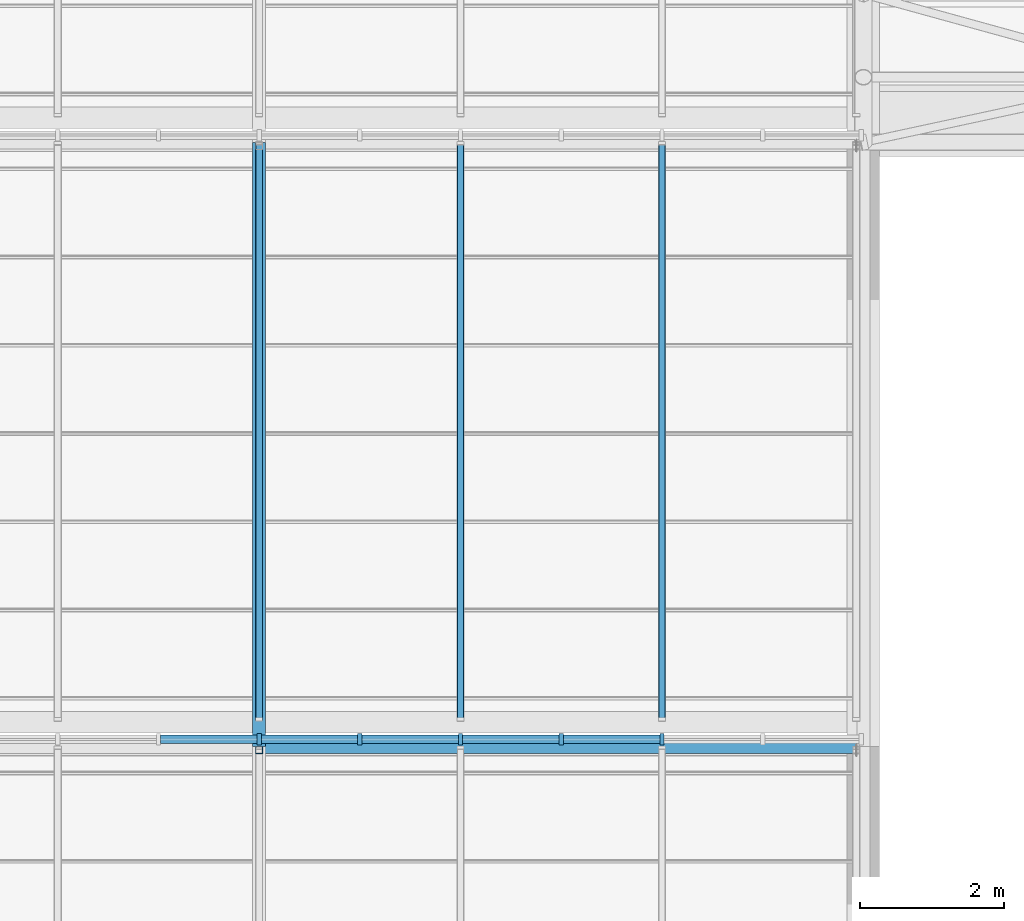
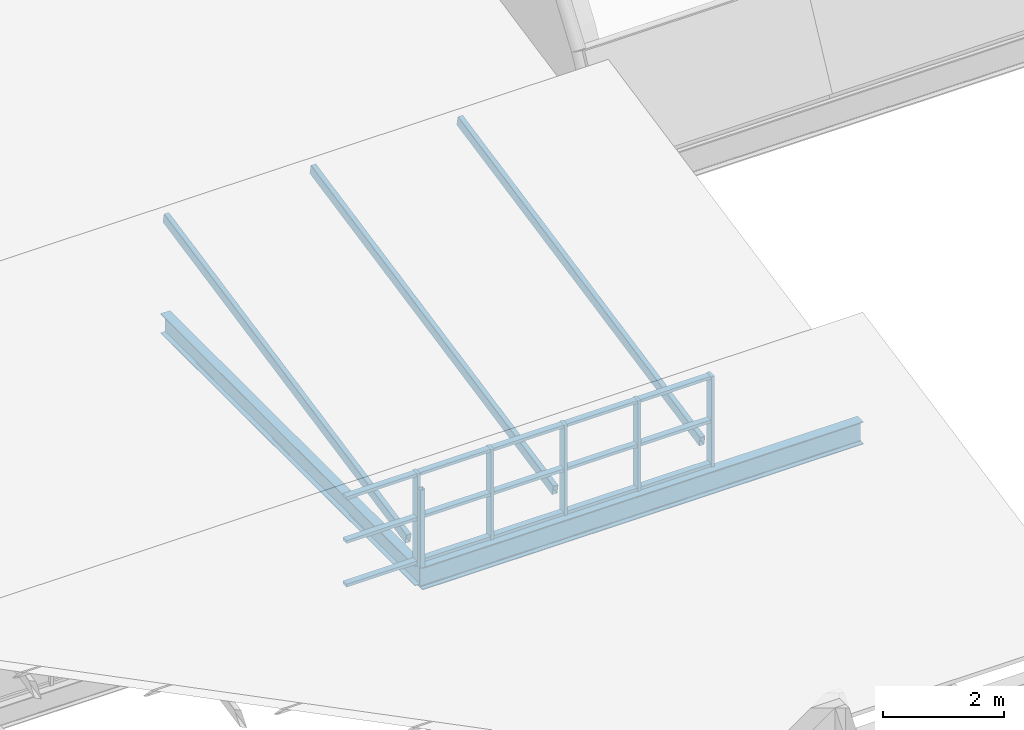
# One storey, part 20 of 121: 24 members, 2 beams, 1 element without a shape of its own.
"""IFC4 building model written with IfcOpenShell, lengths in metres."""

import ifcopenshell
import ifcopenshell.guid

model = None  # the IFC model being written
_history = None  # IfcOwnerHistory: only IFC2X3 demands one
_inside = {}  # id of a spatial element -> (the spatial element, [elements in it])
_under = {}  # id of a project, library or spatial element -> (it, [spatial elements below it])
_declared = {}  # id of a project -> (the project, [libraries it declares])
_typed = {}  # id of a type object -> (the type object, [elements of that type])
_made_of = {}  # id of a material, layer set ... -> (it, [elements and type objects made of it])


def new_model(schema):
    """Start an empty IFC model of exactly this schema.

    Asked for "IFC4X3", IfcOpenShell would pick the latest addendum, in which some entities
    have other attributes; the version numbers below select the first issue.
    IFC2X3 requires an IfcOwnerHistory on every rooted entity: one is made here for all.
    """
    global model, _history
    if schema == "IFC4X3":
        model = ifcopenshell.file(schema_version=(4, 3, 0, 0))
    else:
        model = ifcopenshell.file(schema=schema)
    _inside.clear()
    _under.clear()
    _declared.clear()
    _typed.clear()
    _made_of.clear()
    _history = None
    if model.schema == "IFC2X3":
        org = make("IfcOrganization", Name="unknown")
        user = make(
            "IfcPersonAndOrganization",
            ThePerson=make("IfcPerson", FamilyName="unknown"),
            TheOrganization=org,
        )
        app = make(
            "IfcApplication",
            ApplicationDeveloper=org,
            Version="unknown",
            ApplicationFullName="unknown",
            ApplicationIdentifier="unknown",
        )
        _history = make(
            "IfcOwnerHistory",
            OwningUser=user,
            OwningApplication=app,
            ChangeAction="ADDED",
            CreationDate=0,
        )
    return model


def make(cls, **values):
    """One entity of the class cls with the attributes given. An attribute that is None is left unset."""
    return model.create_entity(
        cls, **{name: value for name, value in values.items() if value is not None}
    )


def rooted(cls, **values):
    """An entity with a GlobalId (a new one), such as an element, a storey or a relation."""
    return make(cls, GlobalId=ifcopenshell.guid.new(), OwnerHistory=_history, **values)


def si_unit(unit_type, name, prefix=None):
    """IfcSIUnit, for example si_unit("LENGTHUNIT", "METRE", prefix="MILLI")."""
    return make("IfcSIUnit", UnitType=unit_type, Prefix=prefix, Name=name)


def assignment(units):
    """IfcUnitAssignment: the units of a project."""
    return None if units is None else make("IfcUnitAssignment", Units=units)


def point(xyz):
    """IfcCartesianPoint."""
    return None if xyz is None else make("IfcCartesianPoint", Coordinates=xyz)


def direction(xyz):
    """IfcDirection."""
    return None if xyz is None else make("IfcDirection", DirectionRatios=xyz)


def frame(location, z_axis=None, x_axis=None):
    """IfcAxis2Placement3D, a coordinate frame: its origin and axes. An axis left out is left unset."""
    return make(
        "IfcAxis2Placement3D",
        Location=point(location),
        Axis=direction(z_axis),
        RefDirection=direction(x_axis),
    )


def frame_2d(location, x_axis=None):
    """IfcAxis2Placement2D, a coordinate frame in the plane: its origin and x axis."""
    return make(
        "IfcAxis2Placement2D", Location=point(location), RefDirection=direction(x_axis)
    )


def origin():
    """The frame at (0, 0, 0) with its axes left unset."""
    return frame((0.0, 0.0, 0.0))


def origin_2d():
    """The frame at (0, 0) in the plane with its x axis left unset."""
    return frame_2d((0.0, 0.0))


def place(relative_to, where):
    """IfcLocalPlacement: puts the frame where relative to a parent placement (None: the world)."""
    return make(
        "IfcLocalPlacement", PlacementRelTo=relative_to, RelativePlacement=where
    )


def context(
    kind, dimensions, precision=None, world=None, true_north=None, identifier=None
):
    """IfcGeometricRepresentationContext, for example the 3D "Model" context."""
    return make(
        "IfcGeometricRepresentationContext",
        ContextIdentifier=identifier,
        ContextType=kind,
        CoordinateSpaceDimension=dimensions,
        Precision=precision,
        WorldCoordinateSystem=world,
        TrueNorth=true_north,
    )


def subcontext(parent, identifier, kind, view, scale=None):
    """IfcGeometricRepresentationSubContext, for example "Body" below "Model"."""
    return make(
        "IfcGeometricRepresentationSubContext",
        ContextIdentifier=identifier,
        ContextType=kind,
        ParentContext=parent,
        TargetScale=scale,
        TargetView=view,
    )


def project(units=None, contexts=None):
    """IfcProject with its units and contexts."""
    return rooted(
        "IfcProject",
        Name="project",
        RepresentationContexts=contexts,
        UnitsInContext=assignment(units),
    )


def spatial(cls, under=None, at=None, **own):
    """A site, building, storey or space (cls), placed at a placement, below another one or the project."""
    s = rooted(cls, ObjectPlacement=at, **own)
    if under is not None:
        _under.setdefault(under.id(), (under, []))[1].append(s)
    return s


def profile(cls, at=None, kind="AREA", **sizes):
    """A parametric profile (cls). Its sizes go by their IFC names, for example OverallWidth=200.0."""
    return make(cls, ProfileType=kind, Position=at, **sizes)


def rectangle(**sizes):
    """IfcRectangleProfileDef."""
    return profile("IfcRectangleProfileDef", **sizes)


def hollow_rectangle(**sizes):
    """IfcRectangleHollowProfileDef."""
    return profile("IfcRectangleHollowProfileDef", **sizes)


def i_section(**sizes):
    """IfcIShapeProfileDef."""
    return profile("IfcIShapeProfileDef", **sizes)


def extrude(swept, where, along, depth):
    """IfcExtrudedAreaSolid: the profile swept, set in the frame where, extruded along a direction by depth."""
    return make(
        "IfcExtrudedAreaSolid",
        SweptArea=swept,
        Position=where,
        ExtrudedDirection=direction(along),
        Depth=depth,
    )


def shape(context_of_items, identifier, shape_type, items):
    """IfcShapeRepresentation: the items that make up one representation, for example the "Body"."""
    return make(
        "IfcShapeRepresentation",
        ContextOfItems=context_of_items,
        RepresentationIdentifier=identifier,
        RepresentationType=shape_type,
        Items=items,
    )


def material(Name=None, Category=None):
    """IfcMaterial."""
    return make("IfcMaterial", Name=Name, Category=Category)


def layer(
    of_material, thickness, ventilated=None, Name=None, Category=None, Priority=None
):
    """IfcMaterialLayer: one layer of a wall or slab, of a material (None: an air gap)."""
    return make(
        "IfcMaterialLayer",
        Material=of_material,
        LayerThickness=thickness,
        IsVentilated=ventilated,
        Name=Name,
        Category=Category,
        Priority=Priority,
    )


def layer_set(layers, Name=None):
    """IfcMaterialLayerSet."""
    return make("IfcMaterialLayerSet", MaterialLayers=layers, LayerSetName=Name)


def material_profile(
    of_material, cross_section, Name=None, Category=None, Priority=None
):
    """IfcMaterialProfile: a cross section and its material."""
    return make(
        "IfcMaterialProfile",
        Name=Name,
        Material=of_material,
        Profile=cross_section,
        Priority=Priority,
        Category=Category,
    )


def profile_set(profiles, Name=None, composite=None):
    """IfcMaterialProfileSet."""
    return make(
        "IfcMaterialProfileSet",
        Name=Name,
        MaterialProfiles=profiles,
        CompositeProfile=composite,
    )


def made_of(thing, what):
    """Note that an element or type object is made of a material, layer set ...; save() writes the relation."""
    if what is not None:
        _made_of.setdefault(what.id(), (what, []))[1].append(thing)
    return thing


def type_object(cls, material=None, **own):
    """A type object (cls), such as IfcWallType, which elements share."""
    return made_of(rooted(cls, **own), material)


def element(
    cls,
    number,
    at=None,
    inside=None,
    cuts=None,
    type_object=None,
    material=None,
    context=None,
    identifier="Body",
    shape_type=None,
    held_by="IfcProductDefinitionShape",
    body=None,
    shapes=None,
    **own,
):
    """One element of the class cls, such as IfcWall. Its Tag is "e" and its number.

    at: its placement. inside: the storey or other place that contains it. cuts: it is an
    opening in that element (IfcRelVoidsElement). A single representation is given by context,
    identifier, shape_type and body (its items); several are given by shapes. held_by: the class
    of the entity that holds the representations. save() writes the other relations.
    """
    e = rooted(cls, Tag="e%d" % number, ObjectPlacement=at, **own)
    if body is not None:
        shapes = [shape(context, identifier, shape_type, body)]
    if shapes is not None:
        e.Representation = make(held_by, Representations=shapes)
    if inside is not None:
        _inside.setdefault(inside.id(), (inside, []))[1].append(e)
    if cuts is not None:
        rooted(
            "IfcRelVoidsElement", RelatingBuildingElement=cuts, RelatedOpeningElement=e
        )
    if type_object is not None:
        _typed.setdefault(type_object.id(), (type_object, []))[1].append(e)
    return made_of(e, material)


def aggregate(whole, parts):
    """IfcRelAggregates: a whole, such as a stair, and the parts it consists of."""
    return rooted("IfcRelAggregates", RelatingObject=whole, RelatedObjects=parts)


def save(model, path):
    """Write the relations noted so far, then the file.

    IfcRelAggregates (storeys below a building ...), IfcRelContainedInSpatialStructure (elements
    in a storey), IfcRelDefinesByType, IfcRelAssociatesMaterial and IfcRelDeclares: one each for
    every whole, place, type object, material and project.
    """
    for whole, parts in _under.values():
        aggregate(whole, parts)
    for where, things in _inside.values():
        rooted(
            "IfcRelContainedInSpatialStructure",
            RelatedElements=things,
            RelatingStructure=where,
        )
    for kind, things in _typed.values():
        rooted("IfcRelDefinesByType", RelatedObjects=things, RelatingType=kind)
    for what, things in _made_of.values():
        rooted("IfcRelAssociatesMaterial", RelatedObjects=things, RelatingMaterial=what)
    for by, libraries in _declared.values():
        rooted("IfcRelDeclares", RelatingContext=by, RelatedDefinitions=libraries)
    model.write(path)


model = new_model("IFC4")

# Units and contexts
model_context = context("Model", 3, precision=1e-05, world=origin(), true_north=direction((0.0, 1.0)))
body_context = subcontext(model_context, "Body", "Model", "MODEL_VIEW")
ifc_project = project(units=[si_unit("LENGTHUNIT", "METRE"), si_unit("AREAUNIT", "SQUARE_METRE"), si_unit("VOLUMEUNIT", "CUBIC_METRE"), si_unit("PLANEANGLEUNIT", "RADIAN"), si_unit("MASSUNIT", "GRAM", prefix="KILO")], contexts=[model_context])

# Site, building, storey
site_placement = place(None, origin())
site = spatial("IfcSite", under=ifc_project, at=site_placement, CompositionType="ELEMENT")
building_placement = place(site_placement, origin())
building = spatial("IfcBuilding", under=site, at=building_placement, Name="Ardhachandra Cancer Care Centre", CompositionType="ELEMENT")
storey_placement = place(building_placement, frame((0.0, 0.0, 9.0)))
storey = spatial("IfcBuildingStorey", under=building, at=storey_placement, Name="L02", CompositionType="ELEMENT", Elevation=9.0)

# Beams
ifc_material_1 = material(Name="Steel E350 (IS 2062)", Category="steel")
ifc_material_profile_1 = material_profile(ifc_material_1, i_section(OverallWidth=0.179931640625, OverallDepth=0.39990234375, WebThickness=0.008544921875, FlangeThickness=0.013427734375, FilletRadius=0.02099609375, at=origin_2d()), Name="NPB 400x180x66.30")
ifc_profile_set_1 = profile_set([ifc_material_profile_1], Name="Steel E350 (IS 2062)")
beam_type_1 = type_object("IfcBeamType", Name="Beam NPB 400x180x66.30", PredefinedType="BEAM", material=ifc_profile_set_1)
beam_1_placement = place(storey_placement, frame((36.0, 46.199951171875, -0.199951171875), z_axis=(0.0, 1.0, 0.0), x_axis=(-1.0, 0.0, 0.0)))
element("IfcBeam", 1, at=beam_1_placement, inside=storey, type_object=beam_type_1, Name="Roof girder E4-F4", PredefinedType="BEAM", context=body_context, shape_type="SweptSolid", body=[
    extrude(i_section(OverallWidth=0.179931640625, OverallDepth=0.39990234375, WebThickness=0.008544921875, FlangeThickness=0.013427734375, FilletRadius=0.02099609375, at=origin_2d()), origin(), (0.0, 0.0, 1.0), 8.400146484375),
])
ifc_material_2 = material(Name="Steel E350 (IS 2062)", Category="steel")
ifc_material_profile_2 = material_profile(ifc_material_2, i_section(OverallWidth=0.19189453125, OverallDepth=0.4560546875, WebThickness=0.010986328125, FlangeThickness=0.017578125, FilletRadius=0.02099609375, at=origin_2d()), Name="NPB 450x190x92.36")
ifc_profile_set_2 = profile_set([ifc_material_profile_2], Name="Steel E350 (IS 2062)")
beam_type_2 = type_object("IfcBeamType", Name="Beam NPB 450x190x92.36", PredefinedType="BEAM", material=ifc_profile_set_2)
beam_2_placement = place(storey_placement, frame((36.0, 46.199951171875, -0.22802734375), z_axis=(1.0, 0.0, 0.0), x_axis=(0.0, 1.0, 0.0)))
element("IfcBeam", 2, at=beam_2_placement, inside=storey, type_object=beam_type_2, Name="Roof girder E4-E5", PredefinedType="BEAM", context=body_context, shape_type="SweptSolid", body=[
    extrude(i_section(OverallWidth=0.19189453125, OverallDepth=0.4560546875, WebThickness=0.010986328125, FlangeThickness=0.017578125, FilletRadius=0.02099609375, at=origin_2d()), origin(), (0.0, 0.0, 1.0), 8.39990234375),
])

# Curtain wall, members
ifc_material_3 = material(Name="Aluminium extrusion", Category="aluminium")
ifc_layer = layer(ifc_material_3, 0.14990234375)
ifc_layer_set = layer_set([ifc_layer], Name="Aluminium extrusion")
curtain_wall_type = type_object("IfcCurtainWallType", Name="Curtain wall run", PredefinedType="NOTDEFINED", material=ifc_layer_set)
curtain_wall_placement = place(storey_placement, origin())
curtain_wall = element("IfcCurtainWall", 3, at=curtain_wall_placement, inside=storey, type_object=curtain_wall_type, Name="Curtain wall L02 n/0010800_0046300", PredefinedType="NOTDEFINED")
ifc_material_4 = material(Name="Aluminium extrusion", Category="aluminium")
ifc_material_profile_3 = material_profile(ifc_material_4, rectangle(XDim=0.159912109375, YDim=0.06005859375, at=origin_2d()), Name="Curtain wall mullion 60 x 160")
ifc_profile_set_3 = profile_set([ifc_material_profile_3], Name="Aluminium extrusion")
member_type_1 = type_object("IfcMemberType", Name="Curtain wall mullion 60 x 160", PredefinedType="MULLION", material=ifc_profile_set_3)
member_1_placement = place(storey_placement, frame((36.0, 46.300048828125, 0.0), z_axis=(0.0, 0.0, 1.0), x_axis=(0.0, 1.0, 0.0)))
member_1 = element("IfcMember", 4, at=member_1_placement, type_object=member_type_1, Name="CW mullion 19", PredefinedType="MULLION", context=body_context, shape_type="SweptSolid", body=[
    extrude(rectangle(XDim=0.159912109375, YDim=0.06005859375, at=origin_2d()), origin(), (0.0, 0.0, 1.0), 1.820068359375),
])
member_2_placement = place(storey_placement, frame((37.39990234375, 46.300048828125, 0.0), z_axis=(0.0, 0.0, 1.0), x_axis=(0.0, 1.0, 0.0)))
member_2 = element("IfcMember", 5, at=member_2_placement, type_object=member_type_1, Name="CW mullion 20", PredefinedType="MULLION", context=body_context, shape_type="SweptSolid", body=[
    extrude(rectangle(XDim=0.159912109375, YDim=0.06005859375, at=origin_2d()), origin(), (0.0, 0.0, 1.0), 1.820068359375),
])
member_3_placement = place(storey_placement, frame((38.800048828125, 46.300048828125, 0.0), z_axis=(0.0, 0.0, 1.0), x_axis=(0.0, 1.0, 0.0)))
member_3 = element("IfcMember", 6, at=member_3_placement, type_object=member_type_1, Name="CW mullion 21", PredefinedType="MULLION", context=body_context, shape_type="SweptSolid", body=[
    extrude(rectangle(XDim=0.159912109375, YDim=0.06005859375, at=origin_2d()), origin(), (0.0, 0.0, 1.0), 1.820068359375),
])
member_4_placement = place(storey_placement, frame((40.199951171875, 46.300048828125, 0.0), z_axis=(0.0, 0.0, 1.0), x_axis=(0.0, 1.0, 0.0)))
member_4 = element("IfcMember", 7, at=member_4_placement, type_object=member_type_1, Name="CW mullion 22", PredefinedType="MULLION", context=body_context, shape_type="SweptSolid", body=[
    extrude(rectangle(XDim=0.159912109375, YDim=0.06005859375, at=origin_2d()), origin(), (0.0, 0.0, 1.0), 1.820068359375),
])
member_5_placement = place(storey_placement, frame((41.60009765625, 46.300048828125, 0.0), z_axis=(0.0, 0.0, 1.0), x_axis=(0.0, 1.0, 0.0)))
member_5 = element("IfcMember", 8, at=member_5_placement, type_object=member_type_1, Name="CW mullion 23", PredefinedType="MULLION", context=body_context, shape_type="SweptSolid", body=[
    extrude(rectangle(XDim=0.159912109375, YDim=0.06005859375, at=origin_2d()), origin(), (0.0, 0.0, 1.0), 1.820068359375),
])
ifc_material_5 = material(Name="Aluminium extrusion", Category="aluminium")
ifc_material_profile_4 = material_profile(ifc_material_5, rectangle(XDim=0.1201171875, YDim=0.06005859375, at=origin_2d()), Name="Curtain wall transom 60 x 120")
ifc_profile_set_4 = profile_set([ifc_material_profile_4], Name="Aluminium extrusion")
member_type_2 = type_object("IfcMemberType", Name="Curtain wall transom 60 x 120", PredefinedType="USERDEFINED", material=ifc_profile_set_4)
member_6_placement = place(storey_placement, frame((34.6298828125, 46.300048828125, 0.030029296875), z_axis=(1.0, 0.0, 0.0), x_axis=(0.0, 1.0, 0.0)))
member_6 = element("IfcMember", 9, at=member_6_placement, type_object=member_type_2, Name="CW transom 18.1", ObjectType="TRANSOM", PredefinedType="USERDEFINED", context=body_context, shape_type="SweptSolid", body=[
    extrude(rectangle(XDim=0.1201171875, YDim=0.06005859375, at=origin_2d()), origin(), (0.0, 0.0, 1.0), 1.340087890625),
])
member_7_placement = place(storey_placement, frame((34.6298828125, 46.300048828125, 0.909912109375), z_axis=(1.0, 0.0, 0.0), x_axis=(0.0, 1.0, 0.0)))
member_7 = element("IfcMember", 10, at=member_7_placement, type_object=member_type_2, Name="CW transom 18.2", ObjectType="TRANSOM", PredefinedType="USERDEFINED", context=body_context, shape_type="SweptSolid", body=[
    extrude(rectangle(XDim=0.1201171875, YDim=0.06005859375, at=origin_2d()), origin(), (0.0, 0.0, 1.0), 1.340087890625),
])
member_8_placement = place(storey_placement, frame((34.6298828125, 46.300048828125, 1.7900390625), z_axis=(1.0, 0.0, 0.0), x_axis=(0.0, 1.0, 0.0)))
member_8 = element("IfcMember", 11, at=member_8_placement, type_object=member_type_2, Name="CW transom 18.3", ObjectType="TRANSOM", PredefinedType="USERDEFINED", context=body_context, shape_type="SweptSolid", body=[
    extrude(rectangle(XDim=0.1201171875, YDim=0.06005859375, at=origin_2d()), origin(), (0.0, 0.0, 1.0), 1.340087890625),
])
member_9_placement = place(storey_placement, frame((36.030029296875, 46.300048828125, 0.030029296875), z_axis=(1.0, 0.0, 0.0), x_axis=(0.0, 1.0, 0.0)))
member_9 = element("IfcMember", 12, at=member_9_placement, type_object=member_type_2, Name="CW transom 19.1", ObjectType="TRANSOM", PredefinedType="USERDEFINED", context=body_context, shape_type="SweptSolid", body=[
    extrude(rectangle(XDim=0.1201171875, YDim=0.06005859375, at=origin_2d()), origin(), (0.0, 0.0, 1.0), 1.340087890625),
])
member_10_placement = place(storey_placement, frame((36.030029296875, 46.300048828125, 0.909912109375), z_axis=(1.0, 0.0, 0.0), x_axis=(0.0, 1.0, 0.0)))
member_10 = element("IfcMember", 13, at=member_10_placement, type_object=member_type_2, Name="CW transom 19.2", ObjectType="TRANSOM", PredefinedType="USERDEFINED", context=body_context, shape_type="SweptSolid", body=[
    extrude(rectangle(XDim=0.1201171875, YDim=0.06005859375, at=origin_2d()), origin(), (0.0, 0.0, 1.0), 1.340087890625),
])
member_11_placement = place(storey_placement, frame((36.030029296875, 46.300048828125, 1.7900390625), z_axis=(1.0, 0.0, 0.0), x_axis=(0.0, 1.0, 0.0)))
member_11 = element("IfcMember", 14, at=member_11_placement, type_object=member_type_2, Name="CW transom 19.3", ObjectType="TRANSOM", PredefinedType="USERDEFINED", context=body_context, shape_type="SweptSolid", body=[
    extrude(rectangle(XDim=0.1201171875, YDim=0.06005859375, at=origin_2d()), origin(), (0.0, 0.0, 1.0), 1.340087890625),
])
member_12_placement = place(storey_placement, frame((37.429931640625, 46.300048828125, 0.030029296875), z_axis=(1.0, 0.0, 0.0), x_axis=(0.0, 1.0, 0.0)))
member_12 = element("IfcMember", 15, at=member_12_placement, type_object=member_type_2, Name="CW transom 20.1", ObjectType="TRANSOM", PredefinedType="USERDEFINED", context=body_context, shape_type="SweptSolid", body=[
    extrude(rectangle(XDim=0.1201171875, YDim=0.06005859375, at=origin_2d()), origin(), (0.0, 0.0, 1.0), 1.340087890625),
])
member_13_placement = place(storey_placement, frame((37.429931640625, 46.300048828125, 0.909912109375), z_axis=(1.0, 0.0, 0.0), x_axis=(0.0, 1.0, 0.0)))
member_13 = element("IfcMember", 16, at=member_13_placement, type_object=member_type_2, Name="CW transom 20.2", ObjectType="TRANSOM", PredefinedType="USERDEFINED", context=body_context, shape_type="SweptSolid", body=[
    extrude(rectangle(XDim=0.1201171875, YDim=0.06005859375, at=origin_2d()), origin(), (0.0, 0.0, 1.0), 1.340087890625),
])
member_14_placement = place(storey_placement, frame((37.429931640625, 46.300048828125, 1.7900390625), z_axis=(1.0, 0.0, 0.0), x_axis=(0.0, 1.0, 0.0)))
member_14 = element("IfcMember", 17, at=member_14_placement, type_object=member_type_2, Name="CW transom 20.3", ObjectType="TRANSOM", PredefinedType="USERDEFINED", context=body_context, shape_type="SweptSolid", body=[
    extrude(rectangle(XDim=0.1201171875, YDim=0.06005859375, at=origin_2d()), origin(), (0.0, 0.0, 1.0), 1.340087890625),
])
member_15_placement = place(storey_placement, frame((38.830078125, 46.300048828125, 0.030029296875), z_axis=(1.0, 0.0, 0.0), x_axis=(0.0, 1.0, 0.0)))
member_15 = element("IfcMember", 18, at=member_15_placement, type_object=member_type_2, Name="CW transom 21.1", ObjectType="TRANSOM", PredefinedType="USERDEFINED", context=body_context, shape_type="SweptSolid", body=[
    extrude(rectangle(XDim=0.1201171875, YDim=0.06005859375, at=origin_2d()), origin(), (0.0, 0.0, 1.0), 1.33984375),
])
member_16_placement = place(storey_placement, frame((38.830078125, 46.300048828125, 0.909912109375), z_axis=(1.0, 0.0, 0.0), x_axis=(0.0, 1.0, 0.0)))
member_16 = element("IfcMember", 19, at=member_16_placement, type_object=member_type_2, Name="CW transom 21.2", ObjectType="TRANSOM", PredefinedType="USERDEFINED", context=body_context, shape_type="SweptSolid", body=[
    extrude(rectangle(XDim=0.1201171875, YDim=0.06005859375, at=origin_2d()), origin(), (0.0, 0.0, 1.0), 1.33984375),
])
member_17_placement = place(storey_placement, frame((38.830078125, 46.300048828125, 1.7900390625), z_axis=(1.0, 0.0, 0.0), x_axis=(0.0, 1.0, 0.0)))
member_17 = element("IfcMember", 20, at=member_17_placement, type_object=member_type_2, Name="CW transom 21.3", ObjectType="TRANSOM", PredefinedType="USERDEFINED", context=body_context, shape_type="SweptSolid", body=[
    extrude(rectangle(XDim=0.1201171875, YDim=0.06005859375, at=origin_2d()), origin(), (0.0, 0.0, 1.0), 1.33984375),
])
member_18_placement = place(storey_placement, frame((40.22998046875, 46.300048828125, 0.030029296875), z_axis=(1.0, 0.0, 0.0), x_axis=(0.0, 1.0, 0.0)))
member_18 = element("IfcMember", 21, at=member_18_placement, type_object=member_type_2, Name="CW transom 22.1", ObjectType="TRANSOM", PredefinedType="USERDEFINED", context=body_context, shape_type="SweptSolid", body=[
    extrude(rectangle(XDim=0.1201171875, YDim=0.06005859375, at=origin_2d()), origin(), (0.0, 0.0, 1.0), 1.340087890625),
])
member_19_placement = place(storey_placement, frame((40.22998046875, 46.300048828125, 0.909912109375), z_axis=(1.0, 0.0, 0.0), x_axis=(0.0, 1.0, 0.0)))
member_19 = element("IfcMember", 22, at=member_19_placement, type_object=member_type_2, Name="CW transom 22.2", ObjectType="TRANSOM", PredefinedType="USERDEFINED", context=body_context, shape_type="SweptSolid", body=[
    extrude(rectangle(XDim=0.1201171875, YDim=0.06005859375, at=origin_2d()), origin(), (0.0, 0.0, 1.0), 1.340087890625),
])
member_20_placement = place(storey_placement, frame((40.22998046875, 46.300048828125, 1.7900390625), z_axis=(1.0, 0.0, 0.0), x_axis=(0.0, 1.0, 0.0)))
member_20 = element("IfcMember", 23, at=member_20_placement, type_object=member_type_2, Name="CW transom 22.3", ObjectType="TRANSOM", PredefinedType="USERDEFINED", context=body_context, shape_type="SweptSolid", body=[
    extrude(rectangle(XDim=0.1201171875, YDim=0.06005859375, at=origin_2d()), origin(), (0.0, 0.0, 1.0), 1.340087890625),
])
aggregate(curtain_wall, [member_1, member_2, member_3, member_4, member_5, member_6, member_7, member_8, member_9, member_10, member_11, member_12, member_13, member_14, member_15, member_16, member_17, member_18, member_19, member_20])

# Members
ifc_material_6 = material(Name="Steel E350 (IS 2062)", Category="steel")
ifc_material_profile_5 = material_profile(ifc_material_6, hollow_rectangle(XDim=0.10009765625, YDim=0.199951171875, WallThickness=0.006103515625, InnerFilletRadius=0.006103515625, OuterFilletRadius=0.011962890625, at=origin_2d()), Name="RHS 200x100x6.0")
ifc_profile_set_5 = profile_set([ifc_material_profile_5], Name="Steel E350 (IS 2062)")
member_type_3 = type_object("IfcMemberType", Name="Roof rafter RHS 200x100x6.0", PredefinedType="RAFTER", material=ifc_profile_set_5)
for number, where, z_axis, x_axis, name in (
    (24, (36.0, 46.580078125, 0.298095703125), (0.0, 0.980109665583, 0.198456653782), (-1.0, 0.0, 0.0), "Rafter T3a.10"),
    (25, (38.800048828125, 46.580078125, 0.298095703125), (0.0, 0.980109665583, 0.198456653782), (-1.0, 0.0, 0.0), "Rafter T3a.11"),
    (26, (41.60009765625, 46.580078125, 0.298095703125), (0.0, 0.980109665583, 0.198456653782), (-1.0, 0.0, 0.0), "Rafter T3a.12"),
):
    element("IfcMember", number, at=place(storey_placement, frame(where, z_axis=z_axis, x_axis=x_axis)), inside=storey, type_object=member_type_3, Name=name, PredefinedType="RAFTER", context=body_context, shape_type="SweptSolid", body=[
        extrude(hollow_rectangle(XDim=0.10009765625, YDim=0.199951171875, WallThickness=0.006103515625, InnerFilletRadius=0.006103515625, OuterFilletRadius=0.011962890625, at=origin_2d()), origin(), (0.0, 0.0, 1.0), 8.162353515625),
    ])
ifc_material_7 = material(Name="Steel E350 (IS 2062)", Category="steel")
ifc_material_profile_6 = material_profile(ifc_material_7, hollow_rectangle(XDim=0.10009765625, YDim=0.10009765625, WallThickness=0.0048828125, InnerFilletRadius=0.0048828125, OuterFilletRadius=0.010009765625, at=origin_2d()), Name="SHS 100x100x5.0")
ifc_profile_set_6 = profile_set([ifc_material_profile_6], Name="Steel E350 (IS 2062)")
member_type_4 = type_object("IfcMemberType", Name="Sawtooth ridge post SHS 100x100x5.0", PredefinedType="POST", material=ifc_profile_set_6)
member_21_placement = place(storey_placement, frame((36.0, 46.14990234375, 0.0), z_axis=(0.0, 0.0, 1.0), x_axis=(1.0, 0.0, 0.0)))
element("IfcMember", 27, at=member_21_placement, inside=storey, type_object=member_type_4, Name="Ridge post T2a.4", PredefinedType="POST", context=body_context, shape_type="SweptSolid", body=[
    extrude(hollow_rectangle(XDim=0.10009765625, YDim=0.10009765625, WallThickness=0.0048828125, InnerFilletRadius=0.0048828125, OuterFilletRadius=0.010009765625, at=origin_2d()), origin(), (0.0, 0.0, 1.0), 1.5673828125),
])

save(model, "model.ifc")
